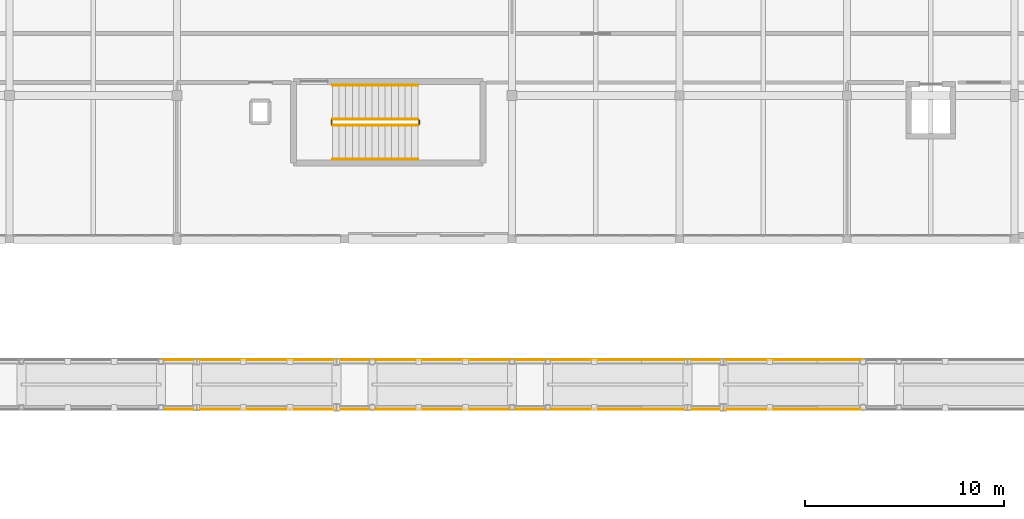
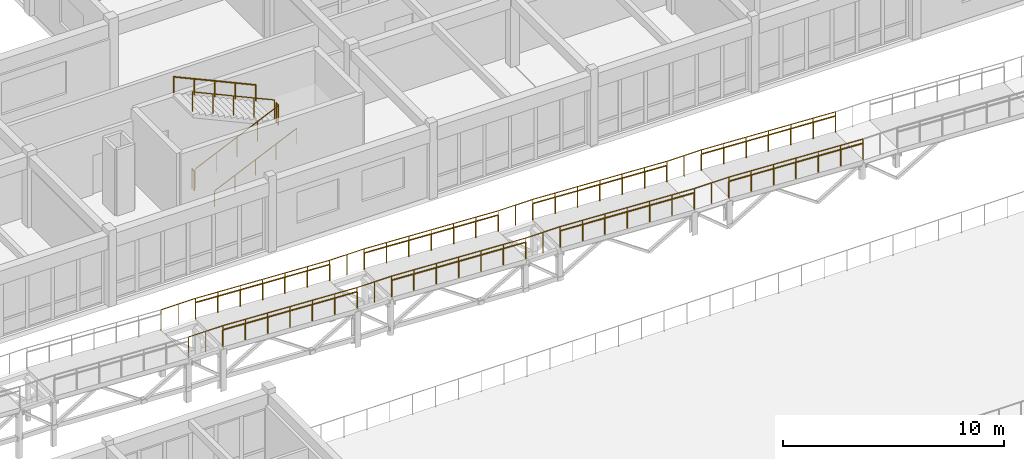
# One storey, part 87 of 89: 30 railings.
"""IFC4 building model written with IfcOpenShell, lengths in metres."""

from ifc_helpers import new_model, si_unit, direction, frame, origin, origin_2d, place, context, subcontext, project, spatial, circle, extrude, material, layer, layer_set, type_object, element, save


model = new_model("IFC4")

# Units and contexts
model_context = context("Model", 3, precision=1e-05, world=origin(), true_north=direction((0.0, 1.0)))
body_context = subcontext(model_context, "Body", "Model", "MODEL_VIEW")
ifc_project = project(units=[si_unit("LENGTHUNIT", "METRE"), si_unit("AREAUNIT", "SQUARE_METRE"), si_unit("VOLUMEUNIT", "CUBIC_METRE"), si_unit("PLANEANGLEUNIT", "RADIAN"), si_unit("MASSUNIT", "GRAM", prefix="KILO")], contexts=[model_context])

# Site, building, storey
site_placement = place(None, origin())
site = spatial("IfcSite", under=ifc_project, at=site_placement, CompositionType="ELEMENT")
building_placement = place(site_placement, origin())
building = spatial("IfcBuilding", under=site, at=building_placement, Name="Malvenik Polytechnic", CompositionType="ELEMENT")
storey_placement = place(building_placement, frame((0.0, 0.0, 13.5)))
storey = spatial("IfcBuildingStorey", under=building, at=storey_placement, Name="L03", CompositionType="ELEMENT", Elevation=13.5)

# Railings
ifc_material_1 = material(Name="Galvanised powder-coated steel and laminated glass guard 1150mm", Category="steel")
ifc_layer_1 = layer(ifc_material_1, 0.070068359375)
ifc_layer_set_1 = layer_set([ifc_layer_1], Name="Galvanised powder-coated steel and laminated glass guard 1150mm")
railing_type_1 = type_object("IfcRailingType", Name="ARC-RL-BAL-1150", PredefinedType="BALUSTRADE", material=ifc_layer_set_1)
for number, where, name in (
    (1, (94.60009765625, 70.659912109375, 1.39990234375), "Ramp Balustrade RB-02 #4S"),
    (2, (94.60009765625, 73.139892578125, 1.39990234375), "Ramp Balustrade RB-02 #4N"),
):
    element("IfcRailing", number, at=place(storey_placement, frame(where)), inside=storey, type_object=railing_type_1, Name=name, PredefinedType="BALUSTRADE", context=body_context, shape_type="SweptSolid", body=[
        extrude(circle(Radius=0.02392578125, at=origin_2d()), frame((0.0, 0.0, 1.1259765625), z_axis=(0.998753381067, 0.0, -0.049916768801), x_axis=(0.0, 1.0, 0.0)), (0.0, 0.0, 1.0), 7.0087890625),
        extrude(circle(Radius=0.02099609375, at=origin_2d()), origin(), (0.0, 0.0, 1.0), 1.101806640625),
        extrude(circle(Radius=0.02099609375, at=origin_2d()), frame((1.166748046875, 0.0, -0.058349609375)), (0.0, 0.0, 1.0), 1.101806640625),
        extrude(circle(Radius=0.02099609375, at=origin_2d()), frame((2.333251953125, 0.0, -0.11669921875)), (0.0, 0.0, 1.0), 1.101806640625),
        extrude(circle(Radius=0.02099609375, at=origin_2d()), frame((3.5, 0.0, -0.1748046875)), (0.0, 0.0, 1.0), 1.101806640625),
        extrude(circle(Radius=0.02099609375, at=origin_2d()), frame((4.666748046875, 0.0, -0.233154296875)), (0.0, 0.0, 1.0), 1.101806640625),
        extrude(circle(Radius=0.02099609375, at=origin_2d()), frame((5.833251953125, 0.0, -0.29150390625)), (0.0, 0.0, 1.0), 1.101806640625),
        extrude(circle(Radius=0.02099609375, at=origin_2d()), frame((7.0, 0.0, -0.349853515625)), (0.0, 0.0, 1.0), 1.101806640625),
    ])
for number, where, name in (
    (3, (92.800048828125, 70.659912109375, 1.39990234375), "Ramp Landing Balustrade RB-02 #4S"),
    (4, (92.800048828125, 73.139892578125, 1.39990234375), "Ramp Landing Balustrade RB-02 #4N"),
):
    element("IfcRailing", number, at=place(storey_placement, frame(where)), inside=storey, type_object=railing_type_1, Name=name, PredefinedType="BALUSTRADE", context=body_context, shape_type="SweptSolid", body=[
        extrude(circle(Radius=0.02392578125, at=origin_2d()), frame((0.0, 0.0, 1.1259765625), z_axis=(1.0, 0.0, 0.0), x_axis=(0.0, 1.0, 0.0)), (0.0, 0.0, 1.0), 1.800048828125),
        extrude(circle(Radius=0.02099609375, at=origin_2d()), origin(), (0.0, 0.0, 1.0), 1.101806640625),
        extrude(circle(Radius=0.02099609375, at=origin_2d()), frame((0.89990234375, 0.0, 0.0)), (0.0, 0.0, 1.0), 1.101806640625),
        extrude(circle(Radius=0.02099609375, at=origin_2d()), frame((1.800048828125, 0.0, 0.0)), (0.0, 0.0, 1.0), 1.101806640625),
    ])
for number, where, name in (
    (5, (85.800048828125, 70.659912109375, 1.75), "Ramp Balustrade RB-02 #5S"),
    (6, (85.800048828125, 73.139892578125, 1.75), "Ramp Balustrade RB-02 #5N"),
):
    element("IfcRailing", number, at=place(storey_placement, frame(where)), inside=storey, type_object=railing_type_1, Name=name, PredefinedType="BALUSTRADE", context=body_context, shape_type="SweptSolid", body=[
        extrude(circle(Radius=0.02392578125, at=origin_2d()), frame((0.0, 0.0, 1.1259765625), z_axis=(0.998751643845, 0.0, -0.049951515669), x_axis=(0.0, 1.0, 0.0)), (0.0, 0.0, 1.0), 7.0087890625),
        extrude(circle(Radius=0.02099609375, at=origin_2d()), origin(), (0.0, 0.0, 1.0), 1.101806640625),
        extrude(circle(Radius=0.02099609375, at=origin_2d()), frame((1.166748046875, 0.0, -0.058349609375)), (0.0, 0.0, 1.0), 1.101806640625),
        extrude(circle(Radius=0.02099609375, at=origin_2d()), frame((2.333251953125, 0.0, -0.11669921875)), (0.0, 0.0, 1.0), 1.101806640625),
        extrude(circle(Radius=0.02099609375, at=origin_2d()), frame((3.5, 0.0, -0.175048828125)), (0.0, 0.0, 1.0), 1.101806640625),
        extrude(circle(Radius=0.02099609375, at=origin_2d()), frame((4.666748046875, 0.0, -0.2333984375)), (0.0, 0.0, 1.0), 1.101806640625),
        extrude(circle(Radius=0.02099609375, at=origin_2d()), frame((5.833251953125, 0.0, -0.291748046875)), (0.0, 0.0, 1.0), 1.101806640625),
        extrude(circle(Radius=0.02099609375, at=origin_2d()), frame((7.0, 0.0, -0.35009765625)), (0.0, 0.0, 1.0), 1.101806640625),
    ])
for number, where, name in (
    (7, (84.0, 70.659912109375, 1.75), "Ramp Landing Balustrade RB-02 #5S"),
    (8, (84.0, 73.139892578125, 1.75), "Ramp Landing Balustrade RB-02 #5N"),
):
    element("IfcRailing", number, at=place(storey_placement, frame(where)), inside=storey, type_object=railing_type_1, Name=name, PredefinedType="BALUSTRADE", context=body_context, shape_type="SweptSolid", body=[
        extrude(circle(Radius=0.02392578125, at=origin_2d()), frame((0.0, 0.0, 1.1259765625), z_axis=(1.0, 0.0, 0.0), x_axis=(0.0, 1.0, 0.0)), (0.0, 0.0, 1.0), 1.800048828125),
        extrude(circle(Radius=0.02099609375, at=origin_2d()), origin(), (0.0, 0.0, 1.0), 1.101806640625),
        extrude(circle(Radius=0.02099609375, at=origin_2d()), frame((0.89990234375, 0.0, 0.0)), (0.0, 0.0, 1.0), 1.101806640625),
        extrude(circle(Radius=0.02099609375, at=origin_2d()), frame((1.800048828125, 0.0, 0.0)), (0.0, 0.0, 1.0), 1.101806640625),
    ])
for number, where, name in (
    (9, (77.0, 70.659912109375, 2.10009765625), "Ramp Balustrade RB-02 #6S"),
    (10, (77.0, 73.139892578125, 2.10009765625), "Ramp Balustrade RB-02 #6N"),
):
    element("IfcRailing", number, at=place(storey_placement, frame(where)), inside=storey, type_object=railing_type_1, Name=name, PredefinedType="BALUSTRADE", context=body_context, shape_type="SweptSolid", body=[
        extrude(circle(Radius=0.02392578125, at=origin_2d()), frame((0.0, 0.0, 1.1259765625), z_axis=(0.998751643845, 0.0, -0.049951515669), x_axis=(0.0, 1.0, 0.0)), (0.0, 0.0, 1.0), 7.0087890625),
        extrude(circle(Radius=0.02099609375, at=origin_2d()), origin(), (0.0, 0.0, 1.0), 1.101806640625),
        extrude(circle(Radius=0.02099609375, at=origin_2d()), frame((1.166748046875, 0.0, -0.058349609375)), (0.0, 0.0, 1.0), 1.101806640625),
        extrude(circle(Radius=0.02099609375, at=origin_2d()), frame((2.333251953125, 0.0, -0.11669921875)), (0.0, 0.0, 1.0), 1.101806640625),
        extrude(circle(Radius=0.02099609375, at=origin_2d()), frame((3.5, 0.0, -0.175048828125)), (0.0, 0.0, 1.0), 1.101806640625),
        extrude(circle(Radius=0.02099609375, at=origin_2d()), frame((4.666748046875, 0.0, -0.2333984375)), (0.0, 0.0, 1.0), 1.101806640625),
        extrude(circle(Radius=0.02099609375, at=origin_2d()), frame((5.833251953125, 0.0, -0.291748046875)), (0.0, 0.0, 1.0), 1.101806640625),
        extrude(circle(Radius=0.02099609375, at=origin_2d()), frame((7.0, 0.0, -0.35009765625)), (0.0, 0.0, 1.0), 1.101806640625),
    ])
for number, where, name in (
    (11, (75.199951171875, 70.659912109375, 2.10009765625), "Ramp Landing Balustrade RB-02 #6S"),
    (12, (75.199951171875, 73.139892578125, 2.10009765625), "Ramp Landing Balustrade RB-02 #6N"),
):
    element("IfcRailing", number, at=place(storey_placement, frame(where)), inside=storey, type_object=railing_type_1, Name=name, PredefinedType="BALUSTRADE", context=body_context, shape_type="SweptSolid", body=[
        extrude(circle(Radius=0.02392578125, at=origin_2d()), frame((0.0, 0.0, 1.1259765625), z_axis=(1.0, 0.0, 0.0), x_axis=(0.0, 1.0, 0.0)), (0.0, 0.0, 1.0), 1.800048828125),
        extrude(circle(Radius=0.02099609375, at=origin_2d()), origin(), (0.0, 0.0, 1.0), 1.101806640625),
        extrude(circle(Radius=0.02099609375, at=origin_2d()), frame((0.89990234375, 0.0, 0.0)), (0.0, 0.0, 1.0), 1.101806640625),
        extrude(circle(Radius=0.02099609375, at=origin_2d()), frame((1.800048828125, 0.0, 0.0)), (0.0, 0.0, 1.0), 1.101806640625),
    ])
for number, where, name in (
    (13, (68.199951171875, 70.659912109375, 2.449951171875), "Ramp Balustrade RB-02 #7S"),
    (14, (68.199951171875, 73.139892578125, 2.449951171875), "Ramp Balustrade RB-02 #7N"),
):
    element("IfcRailing", number, at=place(storey_placement, frame(where)), inside=storey, type_object=railing_type_1, Name=name, PredefinedType="BALUSTRADE", context=body_context, shape_type="SweptSolid", body=[
        extrude(circle(Radius=0.02392578125, at=origin_2d()), frame((0.0, 0.0, 1.1259765625), z_axis=(0.998753381067, 0.0, -0.049916768801), x_axis=(0.0, 1.0, 0.0)), (0.0, 0.0, 1.0), 7.0087890625),
        extrude(circle(Radius=0.02099609375, at=origin_2d()), origin(), (0.0, 0.0, 1.0), 1.101806640625),
        extrude(circle(Radius=0.02099609375, at=origin_2d()), frame((1.166748046875, 0.0, -0.058349609375)), (0.0, 0.0, 1.0), 1.101806640625),
        extrude(circle(Radius=0.02099609375, at=origin_2d()), frame((2.333251953125, 0.0, -0.11669921875)), (0.0, 0.0, 1.0), 1.101806640625),
        extrude(circle(Radius=0.02099609375, at=origin_2d()), frame((3.5, 0.0, -0.1748046875)), (0.0, 0.0, 1.0), 1.101806640625),
        extrude(circle(Radius=0.02099609375, at=origin_2d()), frame((4.666748046875, 0.0, -0.233154296875)), (0.0, 0.0, 1.0), 1.101806640625),
        extrude(circle(Radius=0.02099609375, at=origin_2d()), frame((5.833251953125, 0.0, -0.29150390625)), (0.0, 0.0, 1.0), 1.101806640625),
        extrude(circle(Radius=0.02099609375, at=origin_2d()), frame((7.0, 0.0, -0.349853515625)), (0.0, 0.0, 1.0), 1.101806640625),
    ])
for number, where, name in (
    (15, (66.39990234375, 70.659912109375, 2.449951171875), "Ramp Landing Balustrade RB-02 #7S"),
    (16, (66.39990234375, 73.139892578125, 2.449951171875), "Ramp Landing Balustrade RB-02 #7N"),
):
    element("IfcRailing", number, at=place(storey_placement, frame(where)), inside=storey, type_object=railing_type_1, Name=name, PredefinedType="BALUSTRADE", context=body_context, shape_type="SweptSolid", body=[
        extrude(circle(Radius=0.02392578125, at=origin_2d()), frame((0.0, 0.0, 1.1259765625), z_axis=(1.0, 0.0, 0.0), x_axis=(0.0, 1.0, 0.0)), (0.0, 0.0, 1.0), 1.800048828125),
        extrude(circle(Radius=0.02099609375, at=origin_2d()), origin(), (0.0, 0.0, 1.0), 1.101806640625),
        extrude(circle(Radius=0.02099609375, at=origin_2d()), frame((0.89990234375, 0.0, 0.0)), (0.0, 0.0, 1.0), 1.101806640625),
        extrude(circle(Radius=0.02099609375, at=origin_2d()), frame((1.800048828125, 0.0, 0.0)), (0.0, 0.0, 1.0), 1.101806640625),
    ])
ifc_material_2 = material(Name="Brushed stainless steel 1.4301 tubular handrail 50mm", Category="steel")
ifc_layer_2 = layer(ifc_material_2, 0.050048828125)
ifc_layer_set_2 = layer_set([ifc_layer_2], Name="Brushed stainless steel 1.4301 tubular handrail 50mm")
railing_type_2 = type_object("IfcRailingType", Name="ARC-RL-HR-920", PredefinedType="HANDRAIL", material=ifc_layer_set_2)
for number, where, name in (
    (17, (94.60009765625, 70.659912109375, 1.39990234375), "Ramp Handrail RB-02 #4S"),
    (18, (94.60009765625, 73.139892578125, 1.39990234375), "Ramp Handrail RB-02 #4N"),
):
    element("IfcRailing", number, at=place(storey_placement, frame(where)), inside=storey, type_object=railing_type_2, Name=name, PredefinedType="HANDRAIL", context=body_context, shape_type="SweptSolid", body=[
        extrude(circle(Radius=0.02392578125, at=origin_2d()), frame((0.0, 0.0, 0.89599609375), z_axis=(0.998753381067, 0.0, -0.049916768801), x_axis=(0.0, 1.0, 0.0)), (0.0, 0.0, 1.0), 7.0087890625),
        extrude(circle(Radius=0.02099609375, at=origin_2d()), origin(), (0.0, 0.0, 1.0), 0.871826171875),
        extrude(circle(Radius=0.02099609375, at=origin_2d()), frame((1.166748046875, 0.0, -0.058349609375)), (0.0, 0.0, 1.0), 0.871826171875),
        extrude(circle(Radius=0.02099609375, at=origin_2d()), frame((2.333251953125, 0.0, -0.11669921875)), (0.0, 0.0, 1.0), 0.871826171875),
        extrude(circle(Radius=0.02099609375, at=origin_2d()), frame((3.5, 0.0, -0.1748046875)), (0.0, 0.0, 1.0), 0.871826171875),
        extrude(circle(Radius=0.02099609375, at=origin_2d()), frame((4.666748046875, 0.0, -0.233154296875)), (0.0, 0.0, 1.0), 0.871826171875),
        extrude(circle(Radius=0.02099609375, at=origin_2d()), frame((5.833251953125, 0.0, -0.29150390625)), (0.0, 0.0, 1.0), 0.871826171875),
        extrude(circle(Radius=0.02099609375, at=origin_2d()), frame((7.0, 0.0, -0.349853515625)), (0.0, 0.0, 1.0), 0.871826171875),
    ])
for number, where, name in (
    (19, (85.800048828125, 70.659912109375, 1.75), "Ramp Handrail RB-02 #5S"),
    (20, (85.800048828125, 73.139892578125, 1.75), "Ramp Handrail RB-02 #5N"),
    (21, (77.0, 70.659912109375, 2.10009765625), "Ramp Handrail RB-02 #6S"),
    (22, (77.0, 73.139892578125, 2.10009765625), "Ramp Handrail RB-02 #6N"),
):
    element("IfcRailing", number, at=place(storey_placement, frame(where)), inside=storey, type_object=railing_type_2, Name=name, PredefinedType="HANDRAIL", context=body_context, shape_type="SweptSolid", body=[
        extrude(circle(Radius=0.02392578125, at=origin_2d()), frame((0.0, 0.0, 0.89599609375), z_axis=(0.998751643845, 0.0, -0.049951515669), x_axis=(0.0, 1.0, 0.0)), (0.0, 0.0, 1.0), 7.0087890625),
        extrude(circle(Radius=0.02099609375, at=origin_2d()), origin(), (0.0, 0.0, 1.0), 0.871826171875),
        extrude(circle(Radius=0.02099609375, at=origin_2d()), frame((1.166748046875, 0.0, -0.058349609375)), (0.0, 0.0, 1.0), 0.871826171875),
        extrude(circle(Radius=0.02099609375, at=origin_2d()), frame((2.333251953125, 0.0, -0.11669921875)), (0.0, 0.0, 1.0), 0.871826171875),
        extrude(circle(Radius=0.02099609375, at=origin_2d()), frame((3.5, 0.0, -0.175048828125)), (0.0, 0.0, 1.0), 0.871826171875),
        extrude(circle(Radius=0.02099609375, at=origin_2d()), frame((4.666748046875, 0.0, -0.2333984375)), (0.0, 0.0, 1.0), 0.871826171875),
        extrude(circle(Radius=0.02099609375, at=origin_2d()), frame((5.833251953125, 0.0, -0.291748046875)), (0.0, 0.0, 1.0), 0.871826171875),
        extrude(circle(Radius=0.02099609375, at=origin_2d()), frame((7.0, 0.0, -0.35009765625)), (0.0, 0.0, 1.0), 0.871826171875),
    ])
for number, where, name in (
    (23, (68.199951171875, 70.659912109375, 2.449951171875), "Ramp Handrail RB-02 #7S"),
    (24, (68.199951171875, 73.139892578125, 2.449951171875), "Ramp Handrail RB-02 #7N"),
):
    element("IfcRailing", number, at=place(storey_placement, frame(where)), inside=storey, type_object=railing_type_2, Name=name, PredefinedType="HANDRAIL", context=body_context, shape_type="SweptSolid", body=[
        extrude(circle(Radius=0.02392578125, at=origin_2d()), frame((0.0, 0.0, 0.89599609375), z_axis=(0.998753381067, 0.0, -0.049916768801), x_axis=(0.0, 1.0, 0.0)), (0.0, 0.0, 1.0), 7.0087890625),
        extrude(circle(Radius=0.02099609375, at=origin_2d()), origin(), (0.0, 0.0, 1.0), 0.871826171875),
        extrude(circle(Radius=0.02099609375, at=origin_2d()), frame((1.166748046875, 0.0, -0.058349609375)), (0.0, 0.0, 1.0), 0.871826171875),
        extrude(circle(Radius=0.02099609375, at=origin_2d()), frame((2.333251953125, 0.0, -0.11669921875)), (0.0, 0.0, 1.0), 0.871826171875),
        extrude(circle(Radius=0.02099609375, at=origin_2d()), frame((3.5, 0.0, -0.1748046875)), (0.0, 0.0, 1.0), 0.871826171875),
        extrude(circle(Radius=0.02099609375, at=origin_2d()), frame((4.666748046875, 0.0, -0.233154296875)), (0.0, 0.0, 1.0), 0.871826171875),
        extrude(circle(Radius=0.02099609375, at=origin_2d()), frame((5.833251953125, 0.0, -0.29150390625)), (0.0, 0.0, 1.0), 0.871826171875),
        extrude(circle(Radius=0.02099609375, at=origin_2d()), frame((7.0, 0.0, -0.349853515625)), (0.0, 0.0, 1.0), 0.871826171875),
    ])
ifc_material_3 = material(Name="Painted galvanised steel stair well balustrade 1100mm", Category="steel")
ifc_layer_3 = layer(ifc_material_3, 0.050048828125)
ifc_layer_set_3 = layer_set([ifc_layer_3], Name="Painted galvanised steel stair well balustrade 1100mm")
railing_type_3 = type_object("IfcRailingType", Name="ARC-RL-STGD", PredefinedType="BALUSTRADE", material=ifc_layer_set_3)
railing_1_placement = place(storey_placement, frame((75.0, 84.89990234375, 0.14990234375)))
element("IfcRailing", 25, at=railing_1_placement, inside=storey, type_object=railing_type_3, Name="L03 ST-05 stair guard 1", PredefinedType="BALUSTRADE", context=body_context, shape_type="SweptSolid", body=[
    extrude(circle(Radius=0.02392578125, at=origin_2d()), frame((0.0, 0.0, 1.076171875), z_axis=(0.910352283233, 0.0, 0.413834170184), x_axis=(0.0, 1.0, 0.0)), (0.0, 0.0, 1.0), 4.71240234375),
    extrude(circle(Radius=0.02099609375, at=origin_2d()), origin(), (0.0, 0.0, 1.0), 1.052001953125),
    extrude(circle(Radius=0.02099609375, at=origin_2d()), frame((1.072509765625, 0.0, 0.487548828125)), (0.0, 0.0, 1.0), 1.052001953125),
    extrude(circle(Radius=0.02099609375, at=origin_2d()), frame((2.14501953125, 0.0, 0.97509765625)), (0.0, 0.0, 1.0), 1.052001953125),
    extrude(circle(Radius=0.02099609375, at=origin_2d()), frame((3.217529296875, 0.0, 1.462646484375)), (0.0, 0.0, 1.0), 1.052001953125),
    extrude(circle(Radius=0.02099609375, at=origin_2d()), frame((4.2900390625, 0.0, 1.9501953125)), (0.0, 0.0, 1.0), 1.052001953125),
])
railing_2_placement = place(storey_placement, frame((79.340087890625, 84.949951171875, 2.10009765625)))
element("IfcRailing", 26, at=railing_2_placement, inside=storey, type_object=railing_type_3, Name="L03 ST-05 stair guard 2", PredefinedType="BALUSTRADE", context=body_context, shape_type="SweptSolid", body=[
    extrude(circle(Radius=0.02392578125, at=origin_2d()), frame((0.0, 0.0, 1.076171875), z_axis=(0.0, 1.0, 0.0), x_axis=(-1.0, 0.0, 0.0)), (0.0, 0.0, 1.0), 0.199951171875),
    extrude(circle(Radius=0.02099609375, at=origin_2d()), origin(), (0.0, 0.0, 1.0), 1.052001953125),
    extrude(circle(Radius=0.02099609375, at=origin_2d()), frame((0.0, 0.199951171875, 0.0)), (0.0, 0.0, 1.0), 1.052001953125),
])
railing_3_placement = place(storey_placement, frame((79.2900390625, 85.199951171875, 2.25)))
element("IfcRailing", 27, at=railing_3_placement, inside=storey, type_object=railing_type_3, Name="L03 ST-05 stair guard 3", PredefinedType="BALUSTRADE", context=body_context, shape_type="SweptSolid", body=[
    extrude(circle(Radius=0.02392578125, at=origin_2d()), frame((0.0, 0.0, 1.076171875), z_axis=(-0.910371800137, 0.0, 0.413791234219), x_axis=(0.0, -1.0, 0.0)), (0.0, 0.0, 1.0), 4.71240234375),
    extrude(circle(Radius=0.02099609375, at=origin_2d()), origin(), (0.0, 0.0, 1.0), 1.052001953125),
    extrude(circle(Radius=0.02099609375, at=origin_2d()), frame((-1.072509765625, 0.0, 0.487548828125)), (0.0, 0.0, 1.0), 1.052001953125),
    extrude(circle(Radius=0.02099609375, at=origin_2d()), frame((-2.14501953125, 0.0, 0.97509765625)), (0.0, 0.0, 1.0), 1.052001953125),
    extrude(circle(Radius=0.02099609375, at=origin_2d()), frame((-3.217529296875, 0.0, 1.46240234375)), (0.0, 0.0, 1.0), 1.052001953125),
    extrude(circle(Radius=0.02099609375, at=origin_2d()), frame((-4.2900390625, 0.0, 1.949951171875)), (0.0, 0.0, 1.0), 1.052001953125),
])
railing_4_placement = place(storey_placement, frame((74.949951171875, 84.949951171875, 0.0)))
element("IfcRailing", 28, at=railing_4_placement, inside=storey, type_object=railing_type_3, Name="L03 ST-05 stair guard 4", PredefinedType="BALUSTRADE", context=body_context, shape_type="SweptSolid", body=[
    extrude(circle(Radius=0.02392578125, at=origin_2d()), frame((0.0, 0.0, 1.076171875), z_axis=(0.0, 1.0, 0.0), x_axis=(-1.0, 0.0, 0.0)), (0.0, 0.0, 1.0), 0.199951171875),
    extrude(circle(Radius=0.02099609375, at=origin_2d()), origin(), (0.0, 0.0, 1.0), 1.052001953125),
    extrude(circle(Radius=0.02099609375, at=origin_2d()), frame((0.0, 0.199951171875, 0.0)), (0.0, 0.0, 1.0), 1.052001953125),
])
ifc_material_4 = material(Name="Brushed stainless steel 1.4301 stair wall handrail", Category="steel")
ifc_layer_4 = layer(ifc_material_4, 0.044921875)
ifc_layer_set_4 = layer_set([ifc_layer_4], Name="Brushed stainless steel 1.4301 stair wall handrail")
railing_type_4 = type_object("IfcRailingType", Name="ARC-RL-STHR", PredefinedType="HANDRAIL", material=ifc_layer_set_4)
railing_5_placement = place(storey_placement, frame((75.0, 83.199951171875, 0.14990234375)))
element("IfcRailing", 29, at=railing_5_placement, inside=storey, type_object=railing_type_4, Name="L03 ST-05 stair handrail 1", PredefinedType="HANDRAIL", context=body_context, shape_type="SweptSolid", body=[
    extrude(circle(Radius=0.02392578125, at=origin_2d()), frame((0.0, 0.0, 0.8759765625), z_axis=(0.910352283233, 0.0, 0.413834170184), x_axis=(0.0, 1.0, 0.0)), (0.0, 0.0, 1.0), 4.71240234375),
    extrude(circle(Radius=0.02099609375, at=origin_2d()), origin(), (0.0, 0.0, 1.0), 0.851806640625),
    extrude(circle(Radius=0.02099609375, at=origin_2d()), frame((1.072509765625, 0.0, 0.487548828125)), (0.0, 0.0, 1.0), 0.851806640625),
    extrude(circle(Radius=0.02099609375, at=origin_2d()), frame((2.14501953125, 0.0, 0.97509765625)), (0.0, 0.0, 1.0), 0.851806640625),
    extrude(circle(Radius=0.02099609375, at=origin_2d()), frame((3.217529296875, 0.0, 1.462646484375)), (0.0, 0.0, 1.0), 0.851806640625),
    extrude(circle(Radius=0.02099609375, at=origin_2d()), frame((4.2900390625, 0.0, 1.9501953125)), (0.0, 0.0, 1.0), 0.851806640625),
])
railing_6_placement = place(storey_placement, frame((79.2900390625, 86.89990234375, 2.25)))
element("IfcRailing", 30, at=railing_6_placement, inside=storey, type_object=railing_type_4, Name="L03 ST-05 stair handrail 2", PredefinedType="HANDRAIL", context=body_context, shape_type="SweptSolid", body=[
    extrude(circle(Radius=0.02392578125, at=origin_2d()), frame((0.0, 0.0, 0.8759765625), z_axis=(-0.910371800137, 0.0, 0.413791234219), x_axis=(0.0, -1.0, 0.0)), (0.0, 0.0, 1.0), 4.71240234375),
    extrude(circle(Radius=0.02099609375, at=origin_2d()), origin(), (0.0, 0.0, 1.0), 0.851806640625),
    extrude(circle(Radius=0.02099609375, at=origin_2d()), frame((-1.072509765625, 0.0, 0.487548828125)), (0.0, 0.0, 1.0), 0.851806640625),
    extrude(circle(Radius=0.02099609375, at=origin_2d()), frame((-2.14501953125, 0.0, 0.97509765625)), (0.0, 0.0, 1.0), 0.851806640625),
    extrude(circle(Radius=0.02099609375, at=origin_2d()), frame((-3.217529296875, 0.0, 1.46240234375)), (0.0, 0.0, 1.0), 0.851806640625),
    extrude(circle(Radius=0.02099609375, at=origin_2d()), frame((-4.2900390625, 0.0, 1.949951171875)), (0.0, 0.0, 1.0), 0.851806640625),
])

save(model, "model.ifc")
